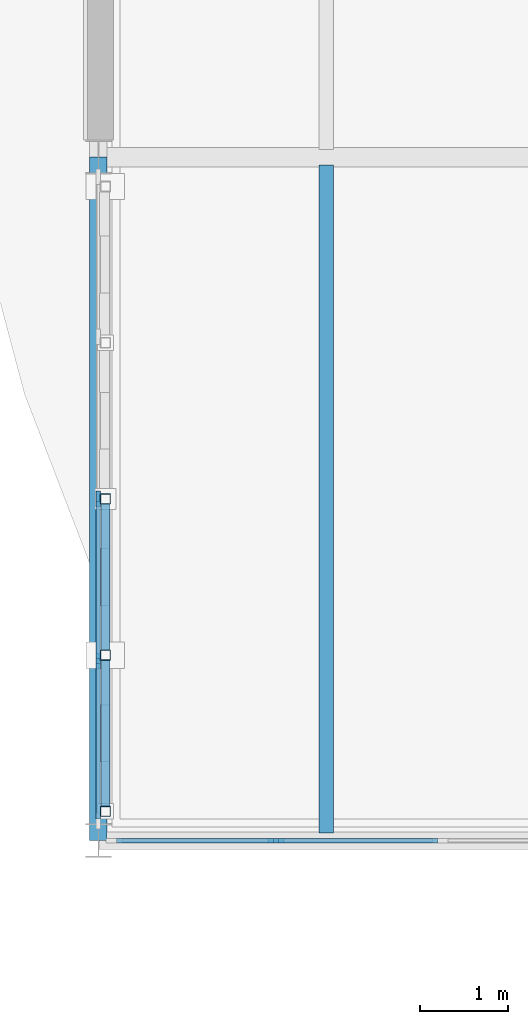
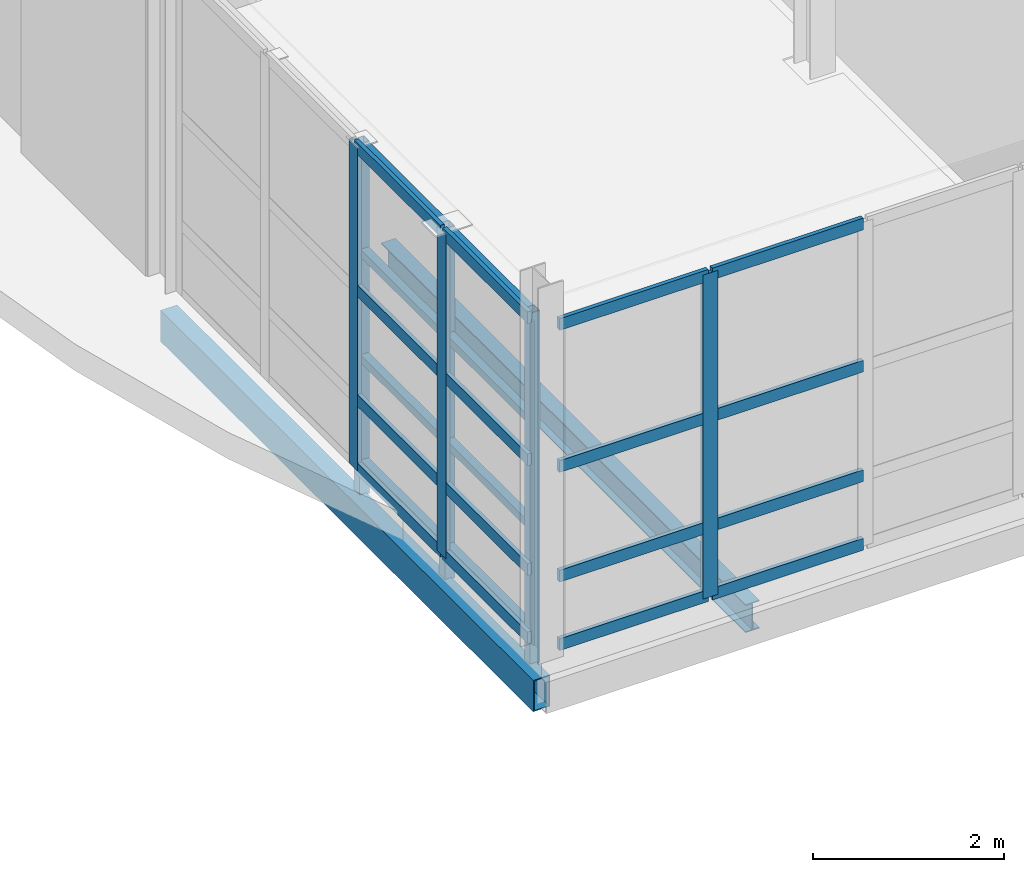
# One storey, part 42 of 131: 30 members, 2 beams, 2 elements without a shape of their own.
"""IFC4 building model written with IfcOpenShell, lengths in metres."""

from ifc_helpers import new_model, si_unit, direction, frame, origin, origin_2d, place, context, subcontext, project, spatial, rectangle, hollow_rectangle, i_section, extrude, material, layer, layer_set, material_profile, profile_set, type_object, element, aggregate, save


model = new_model("IFC4")

# Units and contexts
model_context = context("Model", 3, precision=1e-05, world=origin(), true_north=direction((0.0, 1.0)))
body_context = subcontext(model_context, "Body", "Model", "MODEL_VIEW")
ifc_project = project(units=[si_unit("LENGTHUNIT", "METRE"), si_unit("AREAUNIT", "SQUARE_METRE"), si_unit("VOLUMEUNIT", "CUBIC_METRE"), si_unit("PLANEANGLEUNIT", "RADIAN"), si_unit("MASSUNIT", "GRAM", prefix="KILO")], contexts=[model_context])

# Site, building, storey
site_placement = place(None, origin())
site = spatial("IfcSite", under=ifc_project, at=site_placement, CompositionType="ELEMENT")
building_placement = place(site_placement, origin())
building = spatial("IfcBuilding", under=site, at=building_placement, Name="Celorna Specialist Clinic", CompositionType="ELEMENT")
storey_placement = place(building_placement, origin())
storey = spatial("IfcBuildingStorey", under=building, at=storey_placement, Name="L00", CompositionType="ELEMENT", Elevation=0.0)

# Beams
ifc_material_1 = material(Name="Steel S355", Category="steel")
ifc_material_profile_1 = material_profile(ifc_material_1, i_section(OverallWidth=0.169921875, OverallDepth=0.360107421875, WebThickness=0.008056640625, FlangeThickness=0.0126953125, at=origin_2d()), Name="IPE 360")
ifc_profile_set_1 = profile_set([ifc_material_profile_1], Name="Steel S355")
beam_type_1 = type_object("IfcBeamType", Name="BM-11", PredefinedType="JOIST", material=ifc_profile_set_1)
beam_1_placement = place(storey_placement, frame((127.39990234375, 60.087890625, -0.52001953125), z_axis=(0.0, 1.0, 0.0), x_axis=(-1.0, 0.0, 0.0)))
element("IfcBeam", 1, at=beam_1_placement, inside=storey, type_object=beam_type_1, Name="Secondary floor joist BM-11 #579", PredefinedType="JOIST", context=body_context, shape_type="SweptSolid", body=[
    extrude(i_section(OverallWidth=0.169921875, OverallDepth=0.360107421875, WebThickness=0.008056640625, FlangeThickness=0.0126953125, at=origin_2d()), origin(), (0.0, 0.0, 1.0), 7.6240234375),
])
ifc_material_profile_2 = material_profile(ifc_material_1, hollow_rectangle(XDim=0.199951171875, YDim=0.39990234375, WallThickness=0.011962890625, at=origin_2d()), Name="RHS 200x400x12")
ifc_profile_set_2 = profile_set([ifc_material_profile_2], Name="Steel S355")
beam_type_2 = type_object("IfcBeamType", Name="BM-15", PredefinedType="SPANDREL", material=ifc_profile_set_2)
beam_2_placement = place(storey_placement, frame((124.800048828125, 60.0, -0.5400390625), z_axis=(0.0, 1.0, 0.0), x_axis=(-1.0, 0.0, 0.0)))
element("IfcBeam", 2, at=beam_2_placement, inside=storey, type_object=beam_type_2, Name="Spandrel beam BM-15 #558", PredefinedType="SPANDREL", context=body_context, shape_type="SweptSolid", body=[
    extrude(hollow_rectangle(XDim=0.199951171875, YDim=0.39990234375, WallThickness=0.011962890625, at=origin_2d()), origin(), (0.0, 0.0, 1.0), 7.800048828125),
])

# Members
ifc_material_profile_3 = material_profile(ifc_material_1, hollow_rectangle(XDim=0.1201171875, YDim=0.1201171875, WallThickness=0.008056640625, at=origin_2d()), Name="SHS 120x120x8")
ifc_profile_set_3 = profile_set([ifc_material_profile_3], Name="Steel S355")
member_type_1 = type_object("IfcMemberType", Name="MB-11", PredefinedType="STUD", material=ifc_profile_set_3)
for number, where, z_axis, x_axis, name in (
    (3, (124.8798828125, 60.3349609375, -0.360107421875), (0.0, 0.0, 1.0), (1.0, 0.0, 0.0), "Perforated screen steel post #1857"),
    (4, (124.8798828125, 62.117431640625, -0.360107421875), (0.0, 0.0, 1.0), (1.0, 0.0, 0.0), "Perforated screen steel post #1858"),
    (5, (124.8798828125, 63.89990234375, -0.360107421875), (0.0, 0.0, 1.0), (1.0, 0.0, 0.0), "Perforated screen steel post #1859"),
):
    element("IfcMember", number, at=place(storey_placement, frame(where, z_axis=z_axis, x_axis=x_axis)), inside=storey, type_object=member_type_1, Name=name, PredefinedType="STUD", context=body_context, shape_type="SweptSolid", body=[
        extrude(hollow_rectangle(XDim=0.1201171875, YDim=0.1201171875, WallThickness=0.008056640625, at=origin_2d()), origin(), (0.0, 0.0, 1.0), 4.5),
    ])
ifc_material_profile_4 = material_profile(ifc_material_1, hollow_rectangle(XDim=0.10009765625, YDim=0.10009765625, WallThickness=0.006103515625, at=origin_2d()), Name="SHS 100x100x6")
ifc_profile_set_4 = profile_set([ifc_material_profile_4], Name="Steel S355")
member_type_2 = type_object("IfcMemberType", Name="MB-12", PredefinedType="STUD", material=ifc_profile_set_4)
for number, where, z_axis, x_axis, name in (
    (6, (124.8798828125, 60.39501953125, 0.050048828125), (0.0, 1.0, 0.0), (-1.0, 0.0, 0.0), "Perforated screen rail #1862"),
    (7, (124.8798828125, 60.39501953125, 1.396728515625), (0.0, 1.0, 0.0), (-1.0, 0.0, 0.0), "Perforated screen rail #1863"),
    (8, (124.8798828125, 60.39501953125, 2.743408203125), (0.0, 1.0, 0.0), (-1.0, 0.0, 0.0), "Perforated screen rail #1864"),
    (9, (124.8798828125, 60.39501953125, 4.090087890625), (0.0, 1.0, 0.0), (-1.0, 0.0, 0.0), "Perforated screen rail #1865"),
    (10, (124.8798828125, 62.177490234375, 0.050048828125), (0.0, 1.0, 0.0), (-1.0, 0.0, 0.0), "Perforated screen rail #1866"),
    (11, (124.8798828125, 62.177490234375, 1.396728515625), (0.0, 1.0, 0.0), (-1.0, 0.0, 0.0), "Perforated screen rail #1867"),
    (12, (124.8798828125, 62.177490234375, 2.743408203125), (0.0, 1.0, 0.0), (-1.0, 0.0, 0.0), "Perforated screen rail #1868"),
    (13, (124.8798828125, 62.177490234375, 4.090087890625), (0.0, 1.0, 0.0), (-1.0, 0.0, 0.0), "Perforated screen rail #1869"),
):
    element("IfcMember", number, at=place(storey_placement, frame(where, z_axis=z_axis, x_axis=x_axis)), inside=storey, type_object=member_type_2, Name=name, PredefinedType="STUD", context=body_context, shape_type="SweptSolid", body=[
        extrude(hollow_rectangle(XDim=0.10009765625, YDim=0.10009765625, WallThickness=0.006103515625, at=origin_2d()), origin(), (0.0, 0.0, 1.0), 1.66259765625),
    ])

# Curtain wall, member
ifc_material_2 = material(Name="Thermally broken aluminium and solar-control glass curtain wall", Category="aluminium")
ifc_layer_1 = layer(ifc_material_2, 0.159912109375, Name="Thermally broken aluminium and solar-control glass curtain wall")
ifc_layer_set_1 = layer_set([ifc_layer_1], Name="Thermally broken aluminium and solar-control glass curtain wall")
curtain_wall_type_1 = type_object("IfcCurtainWallType", Name="CW-34", PredefinedType="NOTDEFINED", material=ifc_layer_set_1)
curtain_wall_1_placement = place(storey_placement, origin())
curtain_wall_1 = element("IfcCurtainWall", 14, at=curtain_wall_1_placement, inside=storey, type_object=curtain_wall_type_1, Name="Curtain wall CW-34 #64", PredefinedType="NOTDEFINED")
ifc_material_3 = material(Name="Anodized aluminium mullion", Category="aluminium")
ifc_material_profile_5 = material_profile(ifc_material_3, rectangle(XDim=0.050048828125, YDim=0.179931640625, at=origin_2d()), Name="ALU MULLION 50x180")
ifc_profile_set_5 = profile_set([ifc_material_profile_5], Name="Anodized aluminium mullion")
member_type_3 = type_object("IfcMemberType", Name="ML-02", PredefinedType="MULLION", material=ifc_profile_set_5)
member_1_placement = place(storey_placement, frame((126.826904296875, 60.0, 0.0), z_axis=(0.0, 0.0, 1.0), x_axis=(0.0, -1.0, 0.0)))
member_1 = element("IfcMember", 15, at=member_1_placement, type_object=member_type_3, Name="CW-34 mullion 4", PredefinedType="MULLION", context=body_context, shape_type="SweptSolid", body=[
    extrude(rectangle(XDim=0.050048828125, YDim=0.179931640625, at=origin_2d()), origin(), (0.0, 0.0, 1.0), 4.139892578125),
])

# Curtain wall, members
ifc_layer_2 = layer(ifc_material_2, 0.159912109375, Name="Thermally broken aluminium and solar-control glass curtain wall")
ifc_layer_set_2 = layer_set([ifc_layer_2], Name="Thermally broken aluminium and solar-control glass curtain wall")
curtain_wall_type_2 = type_object("IfcCurtainWallType", Name="CW-38", PredefinedType="NOTDEFINED", material=ifc_layer_set_2)
curtain_wall_2_placement = place(storey_placement, origin())
curtain_wall_2 = element("IfcCurtainWall", 16, at=curtain_wall_2_placement, inside=storey, type_object=curtain_wall_type_2, Name="Curtain wall CW-38 #73", PredefinedType="NOTDEFINED")
member_2_placement = place(storey_placement, frame((124.800048828125, 62.049560546875, 0.0), z_axis=(0.0, 0.0, 1.0), x_axis=(-1.0, 0.0, 0.0)))
member_2 = element("IfcMember", 17, at=member_2_placement, type_object=member_type_3, Name="CW-38 mullion 2", PredefinedType="MULLION", context=body_context, shape_type="SweptSolid", body=[
    extrude(rectangle(XDim=0.050048828125, YDim=0.179931640625, at=origin_2d()), origin(), (0.0, 0.0, 1.0), 4.139892578125),
])
member_3_placement = place(storey_placement, frame((124.800048828125, 63.89990234375, 0.0), z_axis=(0.0, 0.0, 1.0), x_axis=(-1.0, 0.0, 0.0)))
member_3 = element("IfcMember", 18, at=member_3_placement, type_object=member_type_3, Name="CW-38 mullion 3", PredefinedType="MULLION", context=body_context, shape_type="SweptSolid", body=[
    extrude(rectangle(XDim=0.050048828125, YDim=0.179931640625, at=origin_2d()), origin(), (0.0, 0.0, 1.0), 4.139892578125),
])

# Member
ifc_material_4 = material(Name="Anodized aluminium transom", Category="aluminium")
ifc_material_profile_6 = material_profile(ifc_material_4, rectangle(XDim=0.050048828125, YDim=0.14990234375, at=origin_2d()), Name="ALU TRANSOM 50x150")
ifc_profile_set_6 = profile_set([ifc_material_profile_6], Name="Anodized aluminium transom")
member_type_4 = type_object("IfcMemberType", Name="TR-02", PredefinedType="USERDEFINED", material=ifc_profile_set_6)
member_4_placement = place(storey_placement, frame((128.675048828125, 60.0, 0.02490234375), z_axis=(-1.0, 0.0, 0.0), x_axis=(0.0, -1.0, 0.0)))
member_4 = element("IfcMember", 19, at=member_4_placement, type_object=member_type_4, Name="CW-34 transom 3.1", ObjectType="TRANSOM", PredefinedType="USERDEFINED", context=body_context, shape_type="SweptSolid", body=[
    extrude(rectangle(XDim=0.050048828125, YDim=0.14990234375, at=origin_2d()), origin(), (0.0, 0.0, 1.0), 1.822998046875),
])

member_5_placement = place(storey_placement, frame((128.675048828125, 60.0, 0.89990234375), z_axis=(-1.0, 0.0, 0.0), x_axis=(0.0, -1.0, 0.0)))
member_5 = element("IfcMember", 20, at=member_5_placement, type_object=member_type_4, Name="CW-34 transom 3.2", ObjectType="TRANSOM", PredefinedType="USERDEFINED", context=body_context, shape_type="SweptSolid", body=[
    extrude(rectangle(XDim=0.050048828125, YDim=0.14990234375, at=origin_2d()), origin(), (0.0, 0.0, 1.0), 1.822998046875),
])

member_6_placement = place(storey_placement, frame((128.675048828125, 60.0, 2.300048828125), z_axis=(-1.0, 0.0, 0.0), x_axis=(0.0, -1.0, 0.0)))
member_6 = element("IfcMember", 21, at=member_6_placement, type_object=member_type_4, Name="CW-34 transom 3.3", ObjectType="TRANSOM", PredefinedType="USERDEFINED", context=body_context, shape_type="SweptSolid", body=[
    extrude(rectangle(XDim=0.050048828125, YDim=0.14990234375, at=origin_2d()), origin(), (0.0, 0.0, 1.0), 1.822998046875),
])

member_7_placement = place(storey_placement, frame((128.675048828125, 60.0, 4.114990234375), z_axis=(-1.0, 0.0, 0.0), x_axis=(0.0, -1.0, 0.0)))
member_7 = element("IfcMember", 22, at=member_7_placement, type_object=member_type_4, Name="CW-34 transom 3.4", ObjectType="TRANSOM", PredefinedType="USERDEFINED", context=body_context, shape_type="SweptSolid", body=[
    extrude(rectangle(XDim=0.050048828125, YDim=0.14990234375, at=origin_2d()), origin(), (0.0, 0.0, 1.0), 1.822998046875),
])

member_8_placement = place(storey_placement, frame((126.802001953125, 60.0, 0.02490234375), z_axis=(-1.0, 0.0, 0.0), x_axis=(0.0, -1.0, 0.0)))
member_8 = element("IfcMember", 23, at=member_8_placement, type_object=member_type_4, Name="CW-34 transom 4.1", ObjectType="TRANSOM", PredefinedType="USERDEFINED", context=body_context, shape_type="SweptSolid", body=[
    extrude(rectangle(XDim=0.050048828125, YDim=0.14990234375, at=origin_2d()), origin(), (0.0, 0.0, 1.0), 1.798095703125),
])

member_9_placement = place(storey_placement, frame((126.802001953125, 60.0, 0.89990234375), z_axis=(-1.0, 0.0, 0.0), x_axis=(0.0, -1.0, 0.0)))
member_9 = element("IfcMember", 24, at=member_9_placement, type_object=member_type_4, Name="CW-34 transom 4.2", ObjectType="TRANSOM", PredefinedType="USERDEFINED", context=body_context, shape_type="SweptSolid", body=[
    extrude(rectangle(XDim=0.050048828125, YDim=0.14990234375, at=origin_2d()), origin(), (0.0, 0.0, 1.0), 1.798095703125),
])

member_10_placement = place(storey_placement, frame((126.802001953125, 60.0, 2.300048828125), z_axis=(-1.0, 0.0, 0.0), x_axis=(0.0, -1.0, 0.0)))
member_10 = element("IfcMember", 25, at=member_10_placement, type_object=member_type_4, Name="CW-34 transom 4.3", ObjectType="TRANSOM", PredefinedType="USERDEFINED", context=body_context, shape_type="SweptSolid", body=[
    extrude(rectangle(XDim=0.050048828125, YDim=0.14990234375, at=origin_2d()), origin(), (0.0, 0.0, 1.0), 1.798095703125),
])

member_11_placement = place(storey_placement, frame((126.802001953125, 60.0, 4.114990234375), z_axis=(-1.0, 0.0, 0.0), x_axis=(0.0, -1.0, 0.0)))
member_11 = element("IfcMember", 26, at=member_11_placement, type_object=member_type_4, Name="CW-34 transom 4.4", ObjectType="TRANSOM", PredefinedType="USERDEFINED", context=body_context, shape_type="SweptSolid", body=[
    extrude(rectangle(XDim=0.050048828125, YDim=0.14990234375, at=origin_2d()), origin(), (0.0, 0.0, 1.0), 1.798095703125),
])

aggregate(curtain_wall_1, [member_1, member_4, member_5, member_6, member_7, member_8, member_9, member_10, member_11])

member_12_placement = place(storey_placement, frame((124.800048828125, 60.2490234375, 0.02490234375), z_axis=(0.0, 1.0, 0.0), x_axis=(-1.0, 0.0, 0.0)))
member_12 = element("IfcMember", 27, at=member_12_placement, type_object=member_type_4, Name="CW-38 transom 1.1", ObjectType="TRANSOM", PredefinedType="USERDEFINED", context=body_context, shape_type="SweptSolid", body=[
    extrude(rectangle(XDim=0.050048828125, YDim=0.14990234375, at=origin_2d()), origin(), (0.0, 0.0, 1.0), 1.775390625),
])

member_13_placement = place(storey_placement, frame((124.800048828125, 60.2490234375, 0.89990234375), z_axis=(0.0, 1.0, 0.0), x_axis=(-1.0, 0.0, 0.0)))
member_13 = element("IfcMember", 28, at=member_13_placement, type_object=member_type_4, Name="CW-38 transom 1.2", ObjectType="TRANSOM", PredefinedType="USERDEFINED", context=body_context, shape_type="SweptSolid", body=[
    extrude(rectangle(XDim=0.050048828125, YDim=0.14990234375, at=origin_2d()), origin(), (0.0, 0.0, 1.0), 1.775390625),
])

member_14_placement = place(storey_placement, frame((124.800048828125, 60.2490234375, 2.300048828125), z_axis=(0.0, 1.0, 0.0), x_axis=(-1.0, 0.0, 0.0)))
member_14 = element("IfcMember", 29, at=member_14_placement, type_object=member_type_4, Name="CW-38 transom 1.3", ObjectType="TRANSOM", PredefinedType="USERDEFINED", context=body_context, shape_type="SweptSolid", body=[
    extrude(rectangle(XDim=0.050048828125, YDim=0.14990234375, at=origin_2d()), origin(), (0.0, 0.0, 1.0), 1.775390625),
])

member_15_placement = place(storey_placement, frame((124.800048828125, 60.2490234375, 4.114990234375), z_axis=(0.0, 1.0, 0.0), x_axis=(-1.0, 0.0, 0.0)))
member_15 = element("IfcMember", 30, at=member_15_placement, type_object=member_type_4, Name="CW-38 transom 1.4", ObjectType="TRANSOM", PredefinedType="USERDEFINED", context=body_context, shape_type="SweptSolid", body=[
    extrude(rectangle(XDim=0.050048828125, YDim=0.14990234375, at=origin_2d()), origin(), (0.0, 0.0, 1.0), 1.775390625),
])

member_16_placement = place(storey_placement, frame((124.800048828125, 62.074462890625, 0.02490234375), z_axis=(0.0, 1.0, 0.0), x_axis=(-1.0, 0.0, 0.0)))
member_16 = element("IfcMember", 31, at=member_16_placement, type_object=member_type_4, Name="CW-38 transom 2.1", ObjectType="TRANSOM", PredefinedType="USERDEFINED", context=body_context, shape_type="SweptSolid", body=[
    extrude(rectangle(XDim=0.050048828125, YDim=0.14990234375, at=origin_2d()), origin(), (0.0, 0.0, 1.0), 1.800537109375),
])

member_17_placement = place(storey_placement, frame((124.800048828125, 62.074462890625, 0.89990234375), z_axis=(0.0, 1.0, 0.0), x_axis=(-1.0, 0.0, 0.0)))
member_17 = element("IfcMember", 32, at=member_17_placement, type_object=member_type_4, Name="CW-38 transom 2.2", ObjectType="TRANSOM", PredefinedType="USERDEFINED", context=body_context, shape_type="SweptSolid", body=[
    extrude(rectangle(XDim=0.050048828125, YDim=0.14990234375, at=origin_2d()), origin(), (0.0, 0.0, 1.0), 1.800537109375),
])

member_18_placement = place(storey_placement, frame((124.800048828125, 62.074462890625, 2.300048828125), z_axis=(0.0, 1.0, 0.0), x_axis=(-1.0, 0.0, 0.0)))
member_18 = element("IfcMember", 33, at=member_18_placement, type_object=member_type_4, Name="CW-38 transom 2.3", ObjectType="TRANSOM", PredefinedType="USERDEFINED", context=body_context, shape_type="SweptSolid", body=[
    extrude(rectangle(XDim=0.050048828125, YDim=0.14990234375, at=origin_2d()), origin(), (0.0, 0.0, 1.0), 1.800537109375),
])

member_19_placement = place(storey_placement, frame((124.800048828125, 62.074462890625, 4.114990234375), z_axis=(0.0, 1.0, 0.0), x_axis=(-1.0, 0.0, 0.0)))
member_19 = element("IfcMember", 34, at=member_19_placement, type_object=member_type_4, Name="CW-38 transom 2.4", ObjectType="TRANSOM", PredefinedType="USERDEFINED", context=body_context, shape_type="SweptSolid", body=[
    extrude(rectangle(XDim=0.050048828125, YDim=0.14990234375, at=origin_2d()), origin(), (0.0, 0.0, 1.0), 1.800537109375),
])

aggregate(curtain_wall_2, [member_2, member_3, member_12, member_13, member_14, member_15, member_16, member_17, member_18, member_19])

save(model, "model.ifc")
